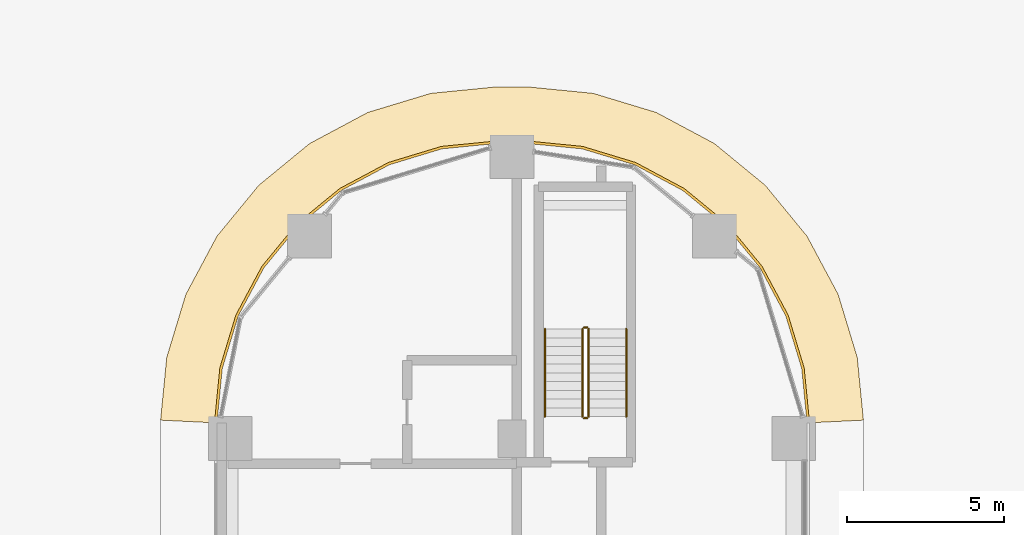
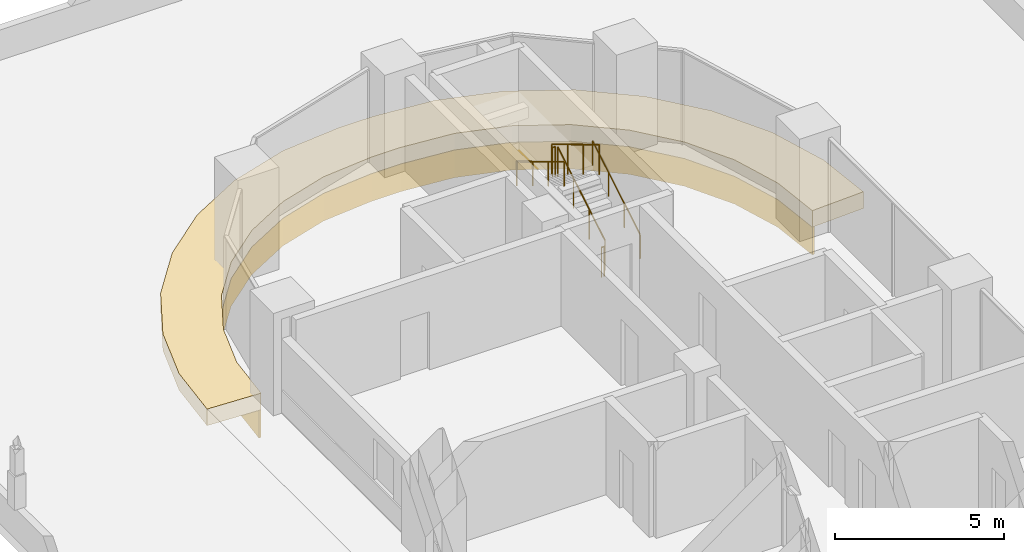
# One storey, part 41 of 51: 6 railings, 2 coverings.
"""IFC4 building model written with IfcOpenShell, lengths in metres."""

from ifc_helpers import new_model, si_unit, direction, frame, origin, origin_2d, place, context, subcontext, project, spatial, polyline, circle, outline, extrude, material, layer, layer_set, type_object, element, save


model = new_model("IFC4")

# Units and contexts
model_context = context("Model", 3, precision=1e-05, world=origin(), true_north=direction((0.0, 1.0)))
body_context = subcontext(model_context, "Body", "Model", "MODEL_VIEW")
ifc_project = project(units=[si_unit("LENGTHUNIT", "METRE"), si_unit("AREAUNIT", "SQUARE_METRE"), si_unit("VOLUMEUNIT", "CUBIC_METRE"), si_unit("PLANEANGLEUNIT", "RADIAN"), si_unit("MASSUNIT", "GRAM", prefix="KILO")], contexts=[model_context])

# Site, building, storey
site_placement = place(None, origin())
site = spatial("IfcSite", under=ifc_project, at=site_placement, CompositionType="ELEMENT")
building_placement = place(site_placement, origin())
building = spatial("IfcBuilding", under=site, at=building_placement, Name="Ogive Portal Towers", CompositionType="ELEMENT")
storey_placement = place(building_placement, frame((0.0, 0.0, 33.5)))
storey = spatial("IfcBuildingStorey", under=building, at=storey_placement, Name="L06", CompositionType="ELEMENT", Elevation=33.5)

# Railings
ifc_material_1 = material(Name="Stainless steel balustrade", Category="steel")
railing_type_1 = type_object("IfcRailingType", Name="INT-GUARD", PredefinedType="GUARDRAIL", material=ifc_material_1)
railing_1_placement = place(storey_placement, frame((42.949951171875, 67.199951171875, 0.168212890625)))
element("IfcRailing", 1, at=railing_1_placement, inside=storey, type_object=railing_type_1, Name="L06 ST-A3 stair guard 1", PredefinedType="GUARDRAIL", context=body_context, shape_type="SweptSolid", body=[
    extrude(circle(Radius=0.02392578125, at=origin_2d()), frame((0.0, 0.0, 1.076171875), z_axis=(0.0, 0.857242210791, 0.514913383045), x_axis=(-1.0, 0.0, 0.0)), (0.0, 0.0, 1.0), 3.266357421875),
    extrude(circle(Radius=0.02099609375, at=origin_2d()), origin(), (0.0, 0.0, 1.0), 1.052001953125),
    extrude(circle(Radius=0.02099609375, at=origin_2d()), frame((0.0, 0.933349609375, 0.560546875)), (0.0, 0.0, 1.0), 1.052001953125),
    extrude(circle(Radius=0.02099609375, at=origin_2d()), frame((0.0, 1.86669921875, 1.121337890625)), (0.0, 0.0, 1.0), 1.052001953125),
    extrude(circle(Radius=0.02099609375, at=origin_2d()), frame((0.0, 2.800048828125, 1.681884765625)), (0.0, 0.0, 1.0), 1.052001953125),
])
railing_2_placement = place(storey_placement, frame((42.89990234375, 70.050048828125, 1.85009765625)))
element("IfcRailing", 2, at=railing_2_placement, inside=storey, type_object=railing_type_1, Name="L06 ST-A3 stair guard 2", PredefinedType="GUARDRAIL", context=body_context, shape_type="SweptSolid", body=[
    extrude(circle(Radius=0.02392578125, at=origin_2d()), frame((0.0, 0.0, 1.076171875), z_axis=(-1.0, 0.0, 0.0), x_axis=(0.0, -1.0, 0.0)), (0.0, 0.0, 1.0), 0.099853515625),
    extrude(circle(Radius=0.02099609375, at=origin_2d()), origin(), (0.0, 0.0, 1.0), 1.052001953125),
    extrude(circle(Radius=0.02099609375, at=origin_2d()), frame((-0.099853515625, 0.0, 0.0)), (0.0, 0.0, 1.0), 1.052001953125),
])
railing_3_placement = place(storey_placement, frame((42.75, 70.0, 2.01806640625)))
element("IfcRailing", 3, at=railing_3_placement, inside=storey, type_object=railing_type_1, Name="L06 ST-A3 stair guard 3", PredefinedType="GUARDRAIL", context=body_context, shape_type="SweptSolid", body=[
    extrude(circle(Radius=0.02392578125, at=origin_2d()), frame((0.0, 0.0, 1.076171875), z_axis=(0.0, -0.857242210791, 0.514913383045), x_axis=(1.0, 0.0, 0.0)), (0.0, 0.0, 1.0), 3.266357421875),
    extrude(circle(Radius=0.02099609375, at=origin_2d()), origin(), (0.0, 0.0, 1.0), 1.052001953125),
    extrude(circle(Radius=0.02099609375, at=origin_2d()), frame((0.0, -0.933349609375, 0.560546875)), (0.0, 0.0, 1.0), 1.052001953125),
    extrude(circle(Radius=0.02099609375, at=origin_2d()), frame((0.0, -1.86669921875, 1.121337890625)), (0.0, 0.0, 1.0), 1.052001953125),
    extrude(circle(Radius=0.02099609375, at=origin_2d()), frame((0.0, -2.800048828125, 1.681884765625)), (0.0, 0.0, 1.0), 1.052001953125),
])
railing_4_placement = place(storey_placement, frame((42.89990234375, 67.14990234375, 0.0)))
element("IfcRailing", 4, at=railing_4_placement, inside=storey, type_object=railing_type_1, Name="L06 ST-A3 stair guard 4", PredefinedType="GUARDRAIL", context=body_context, shape_type="SweptSolid", body=[
    extrude(circle(Radius=0.02392578125, at=origin_2d()), frame((0.0, 0.0, 1.076171875), z_axis=(-1.0, 0.0, 0.0), x_axis=(0.0, -1.0, 0.0)), (0.0, 0.0, 1.0), 0.099853515625),
    extrude(circle(Radius=0.02099609375, at=origin_2d()), origin(), (0.0, 0.0, 1.0), 1.052001953125),
    extrude(circle(Radius=0.02099609375, at=origin_2d()), frame((-0.099853515625, 0.0, 0.0)), (0.0, 0.0, 1.0), 1.052001953125),
])
ifc_material_2 = material(Name="Stainless steel handrail", Category="steel")
railing_type_2 = type_object("IfcRailingType", Name="INT-HANDRAIL", PredefinedType="HANDRAIL", material=ifc_material_2)
railing_5_placement = place(storey_placement, frame((44.14990234375, 67.199951171875, 0.168212890625)))
element("IfcRailing", 5, at=railing_5_placement, inside=storey, type_object=railing_type_2, Name="L06 ST-A3 stair handrail 1", PredefinedType="HANDRAIL", context=body_context, shape_type="SweptSolid", body=[
    extrude(circle(Radius=0.02392578125, at=origin_2d()), frame((0.0, 0.0, 0.8759765625), z_axis=(0.0, 0.857242210791, 0.514913383045), x_axis=(-1.0, 0.0, 0.0)), (0.0, 0.0, 1.0), 3.266357421875),
    extrude(circle(Radius=0.02099609375, at=origin_2d()), origin(), (0.0, 0.0, 1.0), 0.851806640625),
    extrude(circle(Radius=0.02099609375, at=origin_2d()), frame((0.0, 0.933349609375, 0.560546875)), (0.0, 0.0, 1.0), 0.851806640625),
    extrude(circle(Radius=0.02099609375, at=origin_2d()), frame((0.0, 1.86669921875, 1.121337890625)), (0.0, 0.0, 1.0), 0.851806640625),
    extrude(circle(Radius=0.02099609375, at=origin_2d()), frame((0.0, 2.800048828125, 1.681884765625)), (0.0, 0.0, 1.0), 0.851806640625),
])
railing_6_placement = place(storey_placement, frame((41.550048828125, 70.0, 2.01806640625)))
element("IfcRailing", 6, at=railing_6_placement, inside=storey, type_object=railing_type_2, Name="L06 ST-A3 stair handrail 2", PredefinedType="HANDRAIL", context=body_context, shape_type="SweptSolid", body=[
    extrude(circle(Radius=0.02392578125, at=origin_2d()), frame((0.0, 0.0, 0.8759765625), z_axis=(0.0, -0.857242210791, 0.514913383045), x_axis=(1.0, 0.0, 0.0)), (0.0, 0.0, 1.0), 3.266357421875),
    extrude(circle(Radius=0.02099609375, at=origin_2d()), origin(), (0.0, 0.0, 1.0), 0.851806640625),
    extrude(circle(Radius=0.02099609375, at=origin_2d()), frame((0.0, -0.933349609375, 0.560546875)), (0.0, 0.0, 1.0), 0.851806640625),
    extrude(circle(Radius=0.02099609375, at=origin_2d()), frame((0.0, -1.86669921875, 1.121337890625)), (0.0, 0.0, 1.0), 0.851806640625),
    extrude(circle(Radius=0.02099609375, at=origin_2d()), frame((0.0, -2.800048828125, 1.681884765625)), (0.0, 0.0, 1.0), 0.851806640625),
])

# Coverings
ifc_material_3 = material(Name="Limestone cladding on lightweight block wall", Category="masonry")
ifc_layer_1 = layer(ifc_material_3, 0.080078125)
ifc_layer_set_1 = layer_set([ifc_layer_1], Name="STONE SPANDREL 80")
covering_type_1 = type_object("IfcCoveringType", Name="STONE SPANDREL 80", PredefinedType="CLADDING", material=ifc_layer_set_1)
covering_1_placement = place(storey_placement, frame((0.0, 0.0, -1.60009765625)))
element("IfcCovering", 7, at=covering_1_placement, inside=storey, type_object=covering_type_1, Name="Stone spandrel A1-F05", PredefinedType="CLADDING", context=body_context, shape_type="SweptSolid", body=[
    extrude(outline(polyline([(49.925048828125, 67.0), (49.75341796875, 68.7412109375), (49.24560546875, 70.41552734375), (48.4208984375, 71.95849609375), (47.31103515625, 73.31103515625), (45.95849609375, 74.4208984375), (44.41552734375, 75.24560546875), (42.7412109375, 75.75341796875), (41.0, 75.925048828125), (40.0, 75.925048828125), (38.2587890625, 75.75341796875), (36.58447265625, 75.24560546875), (35.04150390625, 74.4208984375), (33.68896484375, 73.31103515625), (32.5791015625, 71.95849609375), (31.75439453125, 70.41552734375), (31.24658203125, 68.7412109375), (31.074951171875, 67.0), (30.9951171875, 67.00390625), (31.167724609375, 68.7568359375), (31.68017578125, 70.4462890625), (32.51220703125, 72.003173828125), (33.63232421875, 73.36767578125), (34.996826171875, 74.48779296875), (36.5537109375, 75.31982421875), (38.2431640625, 75.832275390625), (39.99609375, 76.0048828125), (41.00390625, 76.0048828125), (42.7568359375, 75.832275390625), (44.4462890625, 75.31982421875), (46.003173828125, 74.48779296875), (47.36767578125, 73.36767578125), (48.48779296875, 72.003173828125), (49.31982421875, 70.4462890625), (49.832275390625, 68.7568359375), (50.0048828125, 67.00390625), (49.925048828125, 67.0)])), origin(), (0.0, 0.0, 1.0), 1.0),
])
ifc_layer_2 = layer(ifc_material_3, 0.60009765625)
ifc_layer_set_2 = layer_set([ifc_layer_2], Name="SUNSHADE LIP 600")
covering_type_2 = type_object("IfcCoveringType", Name="SUNSHADE LIP 600", PredefinedType="CLADDING", material=ifc_layer_set_2)
covering_2_placement = place(storey_placement, frame((0.0, 0.0, -0.60009765625)))
element("IfcCovering", 8, at=covering_2_placement, inside=storey, type_object=covering_type_2, Name="Sunshade lip A1-F05", PredefinedType="CLADDING", context=body_context, shape_type="SweptSolid", body=[
    extrude(outline(polyline([(49.925048828125, 67.0), (49.75341796875, 68.7412109375), (49.24560546875, 70.41552734375), (48.4208984375, 71.95849609375), (47.31103515625, 73.31103515625), (45.95849609375, 74.4208984375), (44.41552734375, 75.24560546875), (42.7412109375, 75.75341796875), (41.0, 75.925048828125), (40.0, 75.925048828125), (38.2587890625, 75.75341796875), (36.58447265625, 75.24560546875), (35.04150390625, 74.4208984375), (33.68896484375, 73.31103515625), (32.5791015625, 71.95849609375), (31.75439453125, 70.41552734375), (31.24658203125, 68.7412109375), (31.074951171875, 67.0), (29.27490234375, 67.08837890625), (29.47265625, 69.093994140625), (30.083251953125, 71.107666015625), (31.0751953125, 72.96337890625), (32.41015625, 74.58984375), (34.03662109375, 75.9248046875), (35.892333984375, 76.916748046875), (37.906005859375, 77.52734375), (39.91162109375, 77.72509765625), (41.08837890625, 77.72509765625), (43.093994140625, 77.52734375), (45.107666015625, 76.916748046875), (46.96337890625, 75.9248046875), (48.58984375, 74.58984375), (49.9248046875, 72.96337890625), (50.916748046875, 71.107666015625), (51.52734375, 69.093994140625), (51.72509765625, 67.08837890625), (49.925048828125, 67.0)])), origin(), (0.0, 0.0, 1.0), 0.60009765625),
])

save(model, "model.ifc")
